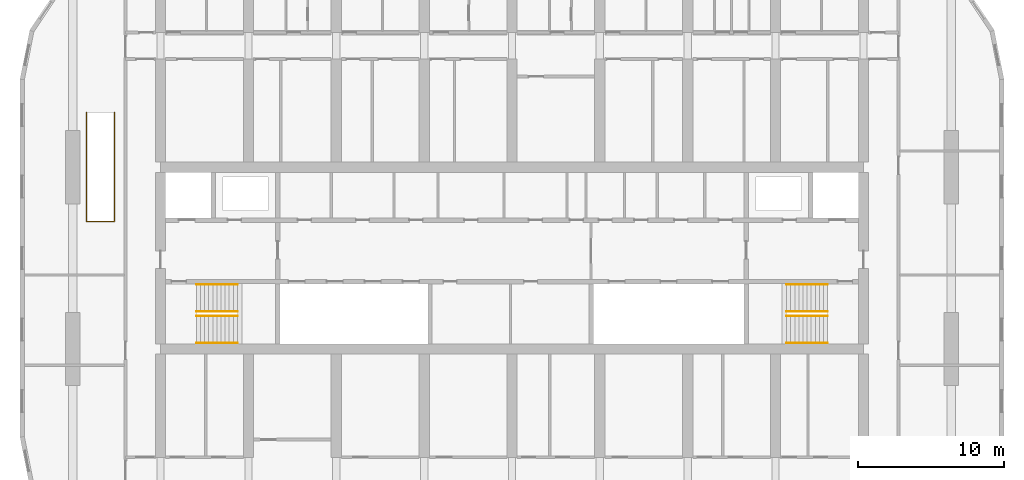
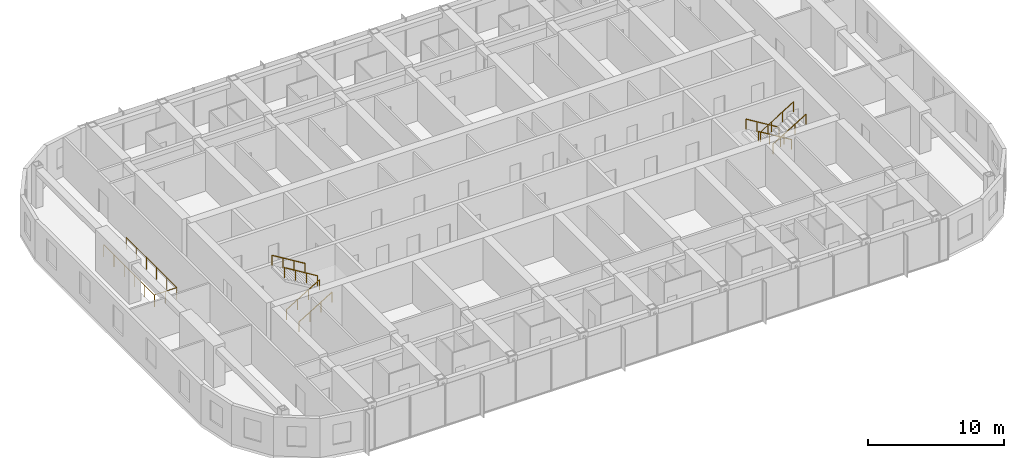
# One storey, part 23 of 23: 9 railings.
"""IFC4 building model written with IfcOpenShell, lengths in metres."""

from ifc_helpers import new_model, si_unit, direction, frame, origin, origin_2d, place, context, subcontext, project, spatial, circle, extrude, material, type_object, element, save


model = new_model("IFC4")

# Units and contexts
model_context = context("Model", 3, precision=1e-05, world=origin(), true_north=direction((0.0, 1.0)))
body_context = subcontext(model_context, "Body", "Model", "MODEL_VIEW")
ifc_project = project(units=[si_unit("LENGTHUNIT", "METRE"), si_unit("AREAUNIT", "SQUARE_METRE"), si_unit("VOLUMEUNIT", "CUBIC_METRE"), si_unit("PLANEANGLEUNIT", "RADIAN"), si_unit("MASSUNIT", "GRAM", prefix="KILO")], contexts=[model_context])

# Site, building, storey
site_placement = place(None, origin())
site = spatial("IfcSite", under=ifc_project, at=site_placement, CompositionType="ELEMENT")
building_placement = place(site_placement, origin())
building = spatial("IfcBuilding", under=site, at=building_placement, Name="Orbita Commons", CompositionType="ELEMENT")
storey_placement = place(building_placement, frame((0.0, 0.0, 220.300048828125)))
storey = spatial("IfcBuildingStorey", under=building, at=storey_placement, Name="L54", CompositionType="ELEMENT", Elevation=220.300048828125)

# Railings
ifc_material_1 = material(Name="Steel tube, painted", Category="steel")
railing_type_1 = type_object("IfcRailingType", Name="Stair handrail steel tube 900", PredefinedType="HANDRAIL", material=ifc_material_1)
for number, where, name in (
    (1, (20.449951171875, 28.0400390625, 0.17041015625), "Stair S1 handrail L54 flight 1"),
    (2, (20.449951171875, 26.2099609375, 0.17041015625), "Stair S1 handrail L54 flight 1"),
):
    element("IfcRailing", number, at=place(storey_placement, frame(where)), inside=storey, type_object=railing_type_1, Name=name, PredefinedType="HANDRAIL", context=body_context, shape_type="SweptSolid", body=[
        extrude(circle(Radius=0.02099609375, at=origin_2d()), frame((0.0, 0.0, 0.87890625), z_axis=(0.854169791009, 0.0, 0.51999420009), x_axis=(0.0, 1.0, 0.0)), (0.0, 0.0, 1.0), 3.278076171875),
        extrude(circle(Radius=0.02001953125, at=origin_2d()), origin(), (0.0, 0.0, 1.0), 0.85791015625),
        extrude(circle(Radius=0.02001953125, at=origin_2d()), frame((0.933349609375, 0.0, 0.568115234375)), (0.0, 0.0, 1.0), 0.85791015625),
        extrude(circle(Radius=0.02001953125, at=origin_2d()), frame((1.86669921875, 0.0, 1.136474609375)), (0.0, 0.0, 1.0), 0.85791015625),
        extrude(circle(Radius=0.02001953125, at=origin_2d()), frame((2.800048828125, 0.0, 1.70458984375)), (0.0, 0.0, 1.0), 0.85791015625),
    ])
for number, where, name in (
    (3, (23.25, 28.360107421875, 2.04541015625), "Stair S1 handrail L54 flight 2"),
    (4, (23.25, 30.18994140625, 2.04541015625), "Stair S1 handrail L54 flight 2"),
    (5, (63.550048828125, 28.360107421875, 0.17041015625), "Stair S2 handrail L54 flight 1"),
    (6, (63.550048828125, 30.18994140625, 0.17041015625), "Stair S2 handrail L54 flight 1"),
):
    element("IfcRailing", number, at=place(storey_placement, frame(where)), inside=storey, type_object=railing_type_1, Name=name, PredefinedType="HANDRAIL", context=body_context, shape_type="SweptSolid", body=[
        extrude(circle(Radius=0.02099609375, at=origin_2d()), frame((0.0, 0.0, 0.87890625), z_axis=(-0.854169791009, 0.0, 0.51999420009), x_axis=(0.0, -1.0, 0.0)), (0.0, 0.0, 1.0), 3.278076171875),
        extrude(circle(Radius=0.02001953125, at=origin_2d()), origin(), (0.0, 0.0, 1.0), 0.85791015625),
        extrude(circle(Radius=0.02001953125, at=origin_2d()), frame((-0.933349609375, 0.0, 0.568115234375)), (0.0, 0.0, 1.0), 0.85791015625),
        extrude(circle(Radius=0.02001953125, at=origin_2d()), frame((-1.86669921875, 0.0, 1.136474609375)), (0.0, 0.0, 1.0), 0.85791015625),
        extrude(circle(Radius=0.02001953125, at=origin_2d()), frame((-2.800048828125, 0.0, 1.70458984375)), (0.0, 0.0, 1.0), 0.85791015625),
    ])
for number, where, name in (
    (7, (60.75, 28.0400390625, 2.04541015625), "Stair S2 handrail L54 flight 2"),
    (8, (60.75, 26.2099609375, 2.04541015625), "Stair S2 handrail L54 flight 2"),
):
    element("IfcRailing", number, at=place(storey_placement, frame(where)), inside=storey, type_object=railing_type_1, Name=name, PredefinedType="HANDRAIL", context=body_context, shape_type="SweptSolid", body=[
        extrude(circle(Radius=0.02099609375, at=origin_2d()), frame((0.0, 0.0, 0.87890625), z_axis=(0.854169791009, 0.0, 0.51999420009), x_axis=(0.0, 1.0, 0.0)), (0.0, 0.0, 1.0), 3.278076171875),
        extrude(circle(Radius=0.02001953125, at=origin_2d()), origin(), (0.0, 0.0, 1.0), 0.85791015625),
        extrude(circle(Radius=0.02001953125, at=origin_2d()), frame((0.933349609375, 0.0, 0.568115234375)), (0.0, 0.0, 1.0), 0.85791015625),
        extrude(circle(Radius=0.02001953125, at=origin_2d()), frame((1.86669921875, 0.0, 1.136474609375)), (0.0, 0.0, 1.0), 0.85791015625),
        extrude(circle(Radius=0.02001953125, at=origin_2d()), frame((2.800048828125, 0.0, 1.70458984375)), (0.0, 0.0, 1.0), 0.85791015625),
    ])
ifc_material_2 = material(Name="Laminated glass on steel posts", Category="steel")
railing_type_2 = type_object("IfcRailingType", Name="Void guard, glass on steel posts 1100", PredefinedType="GUARDRAIL", material=ifc_material_2)
railing_placement = place(storey_placement, frame((12.949951171875, 41.949951171875, 0.0)))
element("IfcRailing", 9, at=railing_placement, inside=storey, type_object=railing_type_2, Name="Void guard L54", PredefinedType="GUARDRAIL", context=body_context, shape_type="SweptSolid", body=[
    extrude(circle(Radius=0.02490234375, at=origin_2d()), frame((0.0, 0.0, 1.0751953125), z_axis=(0.0, -1.0, 0.0), x_axis=(1.0, 0.0, 0.0)), (0.0, 0.0, 1.0), 7.449951171875),
    extrude(circle(Radius=0.02490234375, at=origin_2d()), frame((0.0, -7.449951171875, 1.0751953125), z_axis=(1.0, 0.0, 0.0), x_axis=(0.0, 1.0, 0.0)), (0.0, 0.0, 1.0), 1.900146484375),
    extrude(circle(Radius=0.02490234375, at=origin_2d()), frame((1.900146484375, -7.449951171875, 1.0751953125), z_axis=(0.0, 1.0, 0.0), x_axis=(-1.0, 0.0, 0.0)), (0.0, 0.0, 1.0), 7.449951171875),
    extrude(circle(Radius=0.02490234375, at=origin_2d()), origin(), (0.0, 0.0, 1.0), 1.050048828125),
    extrude(circle(Radius=0.02490234375, at=origin_2d()), frame((0.0, -1.489990234375, 0.0)), (0.0, 0.0, 1.0), 1.050048828125),
    extrude(circle(Radius=0.02490234375, at=origin_2d()), frame((0.0, -2.97998046875, 0.0)), (0.0, 0.0, 1.0), 1.050048828125),
    extrude(circle(Radius=0.02490234375, at=origin_2d()), frame((0.0, -4.469970703125, 0.0)), (0.0, 0.0, 1.0), 1.050048828125),
    extrude(circle(Radius=0.02490234375, at=origin_2d()), frame((0.0, -5.9599609375, 0.0)), (0.0, 0.0, 1.0), 1.050048828125),
    extrude(circle(Radius=0.02490234375, at=origin_2d()), frame((0.0, -7.449951171875, 0.0)), (0.0, 0.0, 1.0), 1.050048828125),
    extrude(circle(Radius=0.02490234375, at=origin_2d()), frame((0.9501953125, -7.449951171875, 0.0)), (0.0, 0.0, 1.0), 1.050048828125),
    extrude(circle(Radius=0.02490234375, at=origin_2d()), frame((1.900146484375, -7.449951171875, 0.0)), (0.0, 0.0, 1.0), 1.050048828125),
    extrude(circle(Radius=0.02490234375, at=origin_2d()), frame((1.900146484375, -5.9599609375, 0.0)), (0.0, 0.0, 1.0), 1.050048828125),
    extrude(circle(Radius=0.02490234375, at=origin_2d()), frame((1.900146484375, -4.469970703125, 0.0)), (0.0, 0.0, 1.0), 1.050048828125),
    extrude(circle(Radius=0.02490234375, at=origin_2d()), frame((1.900146484375, -2.97998046875, 0.0)), (0.0, 0.0, 1.0), 1.050048828125),
    extrude(circle(Radius=0.02490234375, at=origin_2d()), frame((1.900146484375, -1.489990234375, 0.0)), (0.0, 0.0, 1.0), 1.050048828125),
    extrude(circle(Radius=0.02490234375, at=origin_2d()), frame((1.900146484375, 0.0, 0.0)), (0.0, 0.0, 1.0), 1.050048828125),
])

save(model, "model.ifc")
